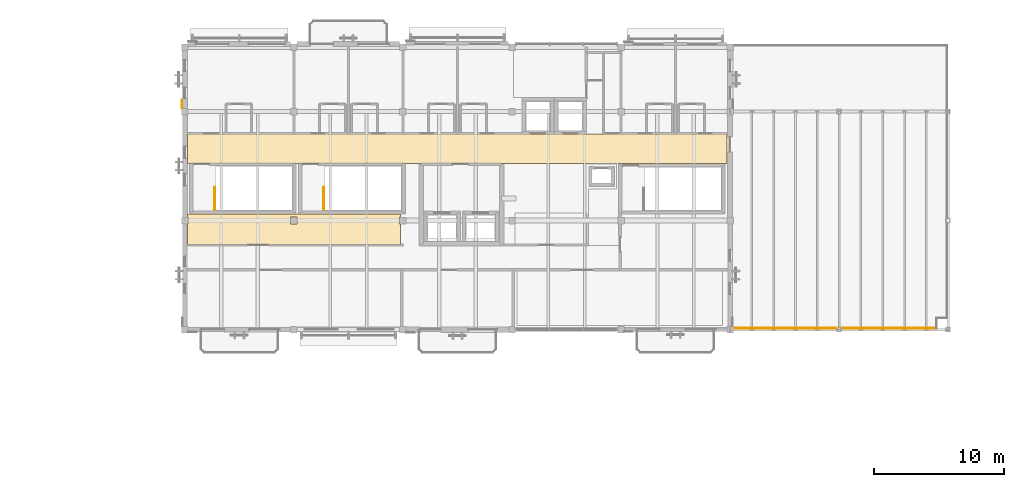
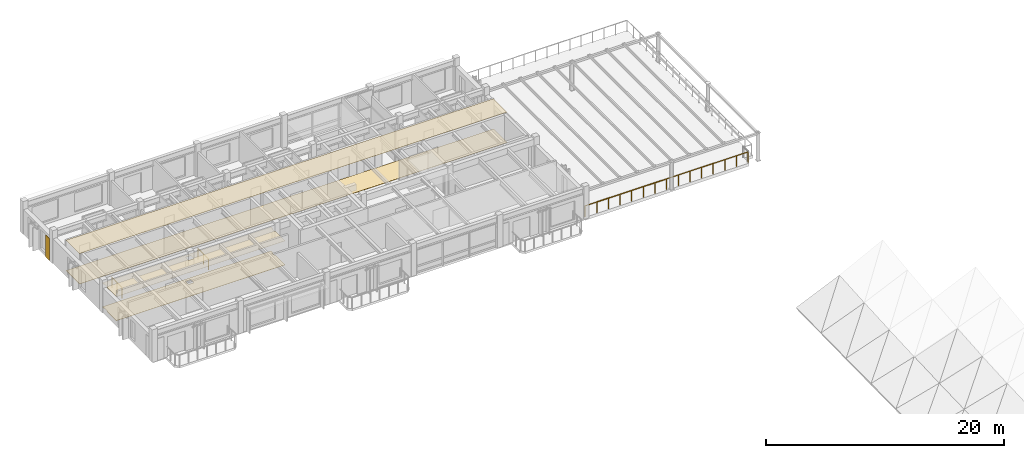
# One storey, part 22 of 24: 5 coverings, 3 railings.
"""IFC4 building model written with IfcOpenShell, lengths in metres."""

from ifc_helpers import new_model, si_unit, direction, frame, origin, origin_2d, place, context, subcontext, project, spatial, polyline, circle, outline, extrude, material, layer, layer_set, type_object, element, save


model = new_model("IFC4")

# Units and contexts
model_context = context("Model", 3, precision=1e-05, world=origin(), true_north=direction((0.0, 1.0)))
body_context = subcontext(model_context, "Body", "Model", "MODEL_VIEW")
ifc_project = project(units=[si_unit("LENGTHUNIT", "METRE"), si_unit("AREAUNIT", "SQUARE_METRE"), si_unit("VOLUMEUNIT", "CUBIC_METRE"), si_unit("PLANEANGLEUNIT", "RADIAN"), si_unit("MASSUNIT", "GRAM", prefix="KILO")], contexts=[model_context])

# Site, building, storey
site_placement = place(None, origin())
site = spatial("IfcSite", under=ifc_project, at=site_placement, CompositionType="ELEMENT")
building_placement = place(site_placement, origin())
building = spatial("IfcBuilding", under=site, at=building_placement, Name="Cumbredor Promenade Congress Hotel", CompositionType="ELEMENT")
storey_placement = place(building_placement, frame((0.0, 0.0, 35.280029296875)))
storey = spatial("IfcBuildingStorey", under=building, at=storey_placement, Name="L10", CompositionType="ELEMENT", Elevation=35.280029296875)

# Coverings
ifc_material_1 = material(Name="Acoustic mineral-fiber and gypsum ceiling")
ifc_layer_1 = layer(ifc_material_1, 0.01806640625, Name="Acoustic mineral-fiber and gypsum ceiling")
ifc_layer_set_1 = layer_set([ifc_layer_1], Name="Acoustic mineral-fiber and gypsum ceiling")
covering_type_1 = type_object("IfcCoveringType", Name="Acoustic Perforated Gypsum Ceiling CLG-01 18mm", PredefinedType="CEILING", material=ifc_layer_set_1)
covering_1_placement = place(storey_placement, frame((0.0, 0.0, 3.1220703125)))
element("IfcCovering", 1, at=covering_1_placement, inside=storey, type_object=covering_type_1, Name="L10 Hotel Guest Corridor Acoustic Ceiling", PredefinedType="CEILING", context=body_context, shape_type="SweptSolid", body=[
    extrude(outline(polyline([(50.179931640625, 105.179931640625), (50.179931640625, 107.469970703125), (8.6201171875, 107.469970703125), (8.6201171875, 105.179931640625), (50.179931640625, 105.179931640625)])), origin(), (0.0, 0.0, 1.0), 0.017822265625),
])
covering_2_placement = place(storey_placement, frame((0.0, 0.0, 2.472900390625)))
element("IfcCovering", 2, at=covering_2_placement, inside=storey, type_object=covering_type_1, Name="L10 Summit Delegates Salon Acoustic Ceiling", PredefinedType="CEILING", context=body_context, shape_type="SweptSolid", body=[
    extrude(outline(polyline([(25.02001953125, 101.054931640625), (24.945068359375, 101.054931640625), (24.945068359375, 100.544921875), (25.02001953125, 100.544921875), (25.02001953125, 98.9599609375), (8.60498046875, 98.9599609375), (8.60498046875, 100.544921875), (8.655029296875, 100.544921875), (8.655029296875, 101.054931640625), (8.60498046875, 101.054931640625), (8.60498046875, 101.320068359375), (25.02001953125, 101.320068359375), (25.02001953125, 101.054931640625)]), holes=[polyline([(16.544921875, 101.054931640625), (16.544921875, 100.544921875), (17.054931640625, 100.544921875), (17.054931640625, 101.054931640625), (16.544921875, 101.054931640625)])]), origin(), (0.0, 0.0, 1.0), 0.01806640625),
])
ifc_material_2 = material(Name="Precast concrete C40/50", Category="concrete")
ifc_layer_2 = layer(ifc_material_2, 0.044921875, Name="Precast concrete C40/50", Category="concrete")
ifc_layer_set_2 = layer_set([ifc_layer_2], Name="Precast concrete C40/50")
covering_type_2 = type_object("IfcCoveringType", Name="Board-Formed Architectural Cladding Panel 45mm", PredefinedType="CLADDING", material=ifc_layer_set_2)
covering_3_placement = place(storey_placement, origin())
element("IfcCovering", 3, at=covering_3_placement, inside=storey, type_object=covering_type_2, Name="L10 Facade Stone Cladding Pier 262", PredefinedType="CLADDING", context=body_context, shape_type="SweptSolid", body=[
    extrude(outline(polyline([(8.1875, 109.450927734375), (8.1875, 110.10107421875), (8.142578125, 110.10107421875), (8.142578125, 109.450927734375), (8.1875, 109.450927734375)])), origin(), (0.0, 0.0, 1.0), 2.25),
])

# Railings
ifc_material_3 = material(Name="Brushed stainless steel", Category="steel")
railing_type_1 = type_object("IfcRailingType", Name="Interior Void & Stair Guardrail GR-1100", PredefinedType="GUARDRAIL", material=ifc_material_3)
for number, where, name in (
    (4, (10.699951171875, 101.6201171875, 0.0), "L10 ST-01 top well guard 1"),
    (5, (19.10009765625, 101.6201171875, 0.0), "L10 ST-02 top well guard 1"),
):
    element("IfcRailing", number, at=place(storey_placement, frame(where)), inside=storey, type_object=railing_type_1, Name=name, PredefinedType="GUARDRAIL", context=body_context, shape_type="SweptSolid", body=[
        extrude(circle(Radius=0.02392578125, at=origin_2d()), frame((0.0, 0.0, 1.09619140625), z_axis=(0.0, 1.0, 0.0), x_axis=(-1.0, 0.0, 0.0)), (0.0, 0.0, 1.0), 1.75),
        extrude(circle(Radius=0.02099609375, at=origin_2d()), origin(), (0.0, 0.0, 1.0), 1.072021484375),
        extrude(circle(Radius=0.02099609375, at=origin_2d()), frame((0.0, 0.875, 0.0)), (0.0, 0.0, 1.0), 1.072021484375),
        extrude(circle(Radius=0.02099609375, at=origin_2d()), frame((0.0, 1.75, 0.0)), (0.0, 0.0, 1.0), 1.072021484375),
    ])

# Coverings
ifc_material_4 = material(Name="Porcelain stoneware tile", Category="masonry")
ifc_layer_3 = layer(ifc_material_4, 0.02001953125, Name="Porcelain stoneware tile", Category="masonry")
ifc_layer_set_3 = layer_set([ifc_layer_3], Name="Porcelain stoneware tile")
covering_type_3 = type_object("IfcCoveringType", Name="Porcelain Stoneware Flooring FLR-01 20mm", PredefinedType="FLOORING", material=ifc_layer_set_3)
covering_4_placement = place(storey_placement, origin())
element("IfcCovering", 6, at=covering_4_placement, inside=storey, type_object=covering_type_3, Name="L10 Hotel Guest Corridor Porcelain Flooring", PredefinedType="FLOORING", context=body_context, shape_type="SweptSolid", body=[
    extrude(outline(polyline([(50.179931640625, 105.179931640625), (50.179931640625, 107.469970703125), (8.6201171875, 107.469970703125), (8.6201171875, 105.179931640625), (50.179931640625, 105.179931640625)])), origin(), (0.0, 0.0, 1.0), 0.02001953125),
])
ifc_layer_4 = layer(ifc_material_4, 0.02490234375, Name="Porcelain stoneware tile", Category="masonry")
ifc_layer_set_4 = layer_set([ifc_layer_4], Name="Porcelain stoneware tile")
covering_type_4 = type_object("IfcCoveringType", Name="Porcelain Stoneware Flooring FLR-02 25mm", PredefinedType="FLOORING", material=ifc_layer_set_4)
covering_5_placement = place(storey_placement, origin())
element("IfcCovering", 7, at=covering_5_placement, inside=storey, type_object=covering_type_4, Name="L10 Summit Delegates Salon Porcelain Flooring", PredefinedType="FLOORING", context=body_context, shape_type="SweptSolid", body=[
    extrude(outline(polyline([(25.02001953125, 101.054931640625), (24.945068359375, 101.054931640625), (24.945068359375, 100.544921875), (25.02001953125, 100.544921875), (25.02001953125, 98.9599609375), (8.60498046875, 98.9599609375), (8.60498046875, 100.544921875), (8.655029296875, 100.544921875), (8.655029296875, 101.054931640625), (8.60498046875, 101.054931640625), (8.60498046875, 101.320068359375), (25.02001953125, 101.320068359375), (25.02001953125, 101.054931640625)]), holes=[polyline([(16.544921875, 101.054931640625), (16.544921875, 100.544921875), (17.054931640625, 100.544921875), (17.054931640625, 101.054931640625), (16.544921875, 101.054931640625)])]), origin(), (0.0, 0.0, 1.0), 0.02490234375),
])

# Railing
railing_type_2 = type_object("IfcRailingType", Name="Terrace Perimeter Balustrade BAL-1120", PredefinedType="BALUSTRADE", material=ifc_material_3)
railing_placement = place(storey_placement, frame((50.449951171875, 92.5, 0.0)))
element("IfcRailing", 8, at=railing_placement, inside=storey, type_object=railing_type_2, Name="L10 Cordillera Crown East Observation Terrace Balustrade 79", PredefinedType="BALUSTRADE", context=body_context, shape_type="SweptSolid", body=[
    extrude(circle(Radius=0.02392578125, at=origin_2d()), frame((0.0, 0.0, 1.09619140625), z_axis=(1.0, 0.0, 0.0), x_axis=(0.0, 1.0, 0.0)), (0.0, 0.0, 1.0), 15.85009765625),
    extrude(circle(Radius=0.02099609375, at=origin_2d()), origin(), (0.0, 0.0, 1.0), 1.072021484375),
    extrude(circle(Radius=0.02099609375, at=origin_2d()), frame((1.132080078125, 0.0, 0.0)), (0.0, 0.0, 1.0), 1.072021484375),
    extrude(circle(Radius=0.02099609375, at=origin_2d()), frame((2.264404296875, 0.0, 0.0)), (0.0, 0.0, 1.0), 1.072021484375),
    extrude(circle(Radius=0.02099609375, at=origin_2d()), frame((3.396484375, 0.0, 0.0)), (0.0, 0.0, 1.0), 1.072021484375),
    extrude(circle(Radius=0.02099609375, at=origin_2d()), frame((4.528564453125, 0.0, 0.0)), (0.0, 0.0, 1.0), 1.072021484375),
    extrude(circle(Radius=0.02099609375, at=origin_2d()), frame((5.66064453125, 0.0, 0.0)), (0.0, 0.0, 1.0), 1.072021484375),
    extrude(circle(Radius=0.02099609375, at=origin_2d()), frame((6.79296875, 0.0, 0.0)), (0.0, 0.0, 1.0), 1.072021484375),
    extrude(circle(Radius=0.02099609375, at=origin_2d()), frame((7.925048828125, 0.0, 0.0)), (0.0, 0.0, 1.0), 1.072021484375),
    extrude(circle(Radius=0.02099609375, at=origin_2d()), frame((9.05712890625, 0.0, 0.0)), (0.0, 0.0, 1.0), 1.072021484375),
    extrude(circle(Radius=0.02099609375, at=origin_2d()), frame((10.189453125, 0.0, 0.0)), (0.0, 0.0, 1.0), 1.072021484375),
    extrude(circle(Radius=0.02099609375, at=origin_2d()), frame((11.321533203125, 0.0, 0.0)), (0.0, 0.0, 1.0), 1.072021484375),
    extrude(circle(Radius=0.02099609375, at=origin_2d()), frame((12.45361328125, 0.0, 0.0)), (0.0, 0.0, 1.0), 1.072021484375),
    extrude(circle(Radius=0.02099609375, at=origin_2d()), frame((13.585693359375, 0.0, 0.0)), (0.0, 0.0, 1.0), 1.072021484375),
    extrude(circle(Radius=0.02099609375, at=origin_2d()), frame((14.718017578125, 0.0, 0.0)), (0.0, 0.0, 1.0), 1.072021484375),
    extrude(circle(Radius=0.02099609375, at=origin_2d()), frame((15.85009765625, 0.0, 0.0)), (0.0, 0.0, 1.0), 1.072021484375),
])

save(model, "model.ifc")
